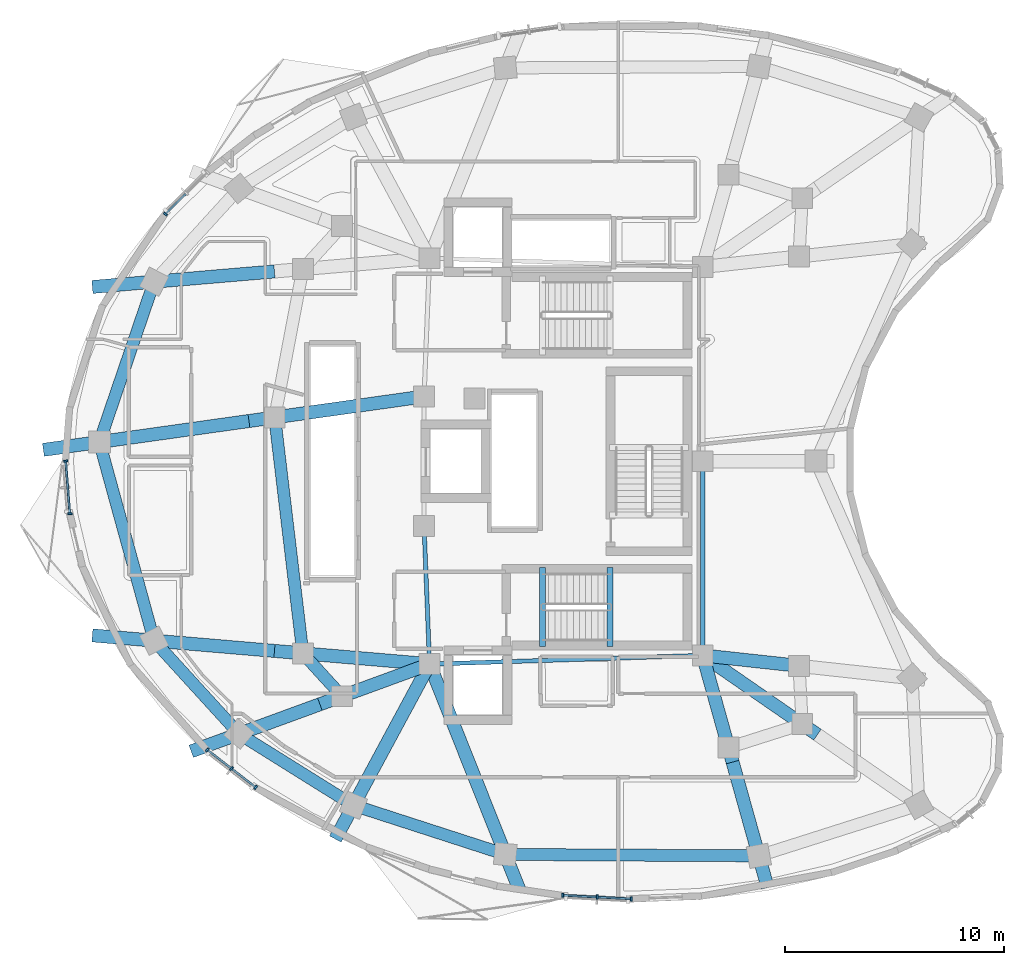
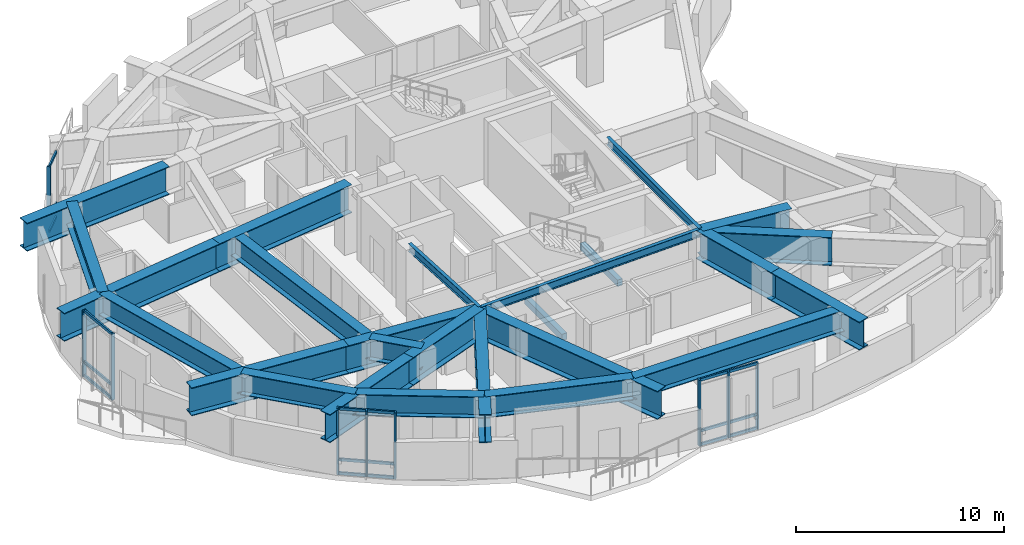
# One storey, part 2 of 13: 27 members, 26 beams, 4 elements without a shape of their own.
"""IFC4 building model written with IfcOpenShell, lengths in metres."""

import ifcopenshell
import ifcopenshell.guid

model = None  # the IFC model being written
_history = None  # IfcOwnerHistory: only IFC2X3 demands one
_inside = {}  # id of a spatial element -> (the spatial element, [elements in it])
_under = {}  # id of a project, library or spatial element -> (it, [spatial elements below it])
_declared = {}  # id of a project -> (the project, [libraries it declares])
_typed = {}  # id of a type object -> (the type object, [elements of that type])
_made_of = {}  # id of a material, layer set ... -> (it, [elements and type objects made of it])


def new_model(schema):
    """Start an empty IFC model of exactly this schema.

    Asked for "IFC4X3", IfcOpenShell would pick the latest addendum, in which some entities
    have other attributes; the version numbers below select the first issue.
    IFC2X3 requires an IfcOwnerHistory on every rooted entity: one is made here for all.
    """
    global model, _history
    if schema == "IFC4X3":
        model = ifcopenshell.file(schema_version=(4, 3, 0, 0))
    else:
        model = ifcopenshell.file(schema=schema)
    _inside.clear()
    _under.clear()
    _declared.clear()
    _typed.clear()
    _made_of.clear()
    _history = None
    if model.schema == "IFC2X3":
        org = make("IfcOrganization", Name="unknown")
        user = make(
            "IfcPersonAndOrganization",
            ThePerson=make("IfcPerson", FamilyName="unknown"),
            TheOrganization=org,
        )
        app = make(
            "IfcApplication",
            ApplicationDeveloper=org,
            Version="unknown",
            ApplicationFullName="unknown",
            ApplicationIdentifier="unknown",
        )
        _history = make(
            "IfcOwnerHistory",
            OwningUser=user,
            OwningApplication=app,
            ChangeAction="ADDED",
            CreationDate=0,
        )
    return model


def make(cls, **values):
    """One entity of the class cls with the attributes given. An attribute that is None is left unset."""
    return model.create_entity(
        cls, **{name: value for name, value in values.items() if value is not None}
    )


def rooted(cls, **values):
    """An entity with a GlobalId (a new one), such as an element, a storey or a relation."""
    return make(cls, GlobalId=ifcopenshell.guid.new(), OwnerHistory=_history, **values)


def si_unit(unit_type, name, prefix=None):
    """IfcSIUnit, for example si_unit("LENGTHUNIT", "METRE", prefix="MILLI")."""
    return make("IfcSIUnit", UnitType=unit_type, Prefix=prefix, Name=name)


def assignment(units):
    """IfcUnitAssignment: the units of a project."""
    return None if units is None else make("IfcUnitAssignment", Units=units)


def point(xyz):
    """IfcCartesianPoint."""
    return None if xyz is None else make("IfcCartesianPoint", Coordinates=xyz)


def direction(xyz):
    """IfcDirection."""
    return None if xyz is None else make("IfcDirection", DirectionRatios=xyz)


def frame(location, z_axis=None, x_axis=None):
    """IfcAxis2Placement3D, a coordinate frame: its origin and axes. An axis left out is left unset."""
    return make(
        "IfcAxis2Placement3D",
        Location=point(location),
        Axis=direction(z_axis),
        RefDirection=direction(x_axis),
    )


def frame_2d(location, x_axis=None):
    """IfcAxis2Placement2D, a coordinate frame in the plane: its origin and x axis."""
    return make(
        "IfcAxis2Placement2D", Location=point(location), RefDirection=direction(x_axis)
    )


def origin():
    """The frame at (0, 0, 0) with its axes left unset."""
    return frame((0.0, 0.0, 0.0))


def origin_2d():
    """The frame at (0, 0) in the plane with its x axis left unset."""
    return frame_2d((0.0, 0.0))


def place(relative_to, where):
    """IfcLocalPlacement: puts the frame where relative to a parent placement (None: the world)."""
    return make(
        "IfcLocalPlacement", PlacementRelTo=relative_to, RelativePlacement=where
    )


def context(
    kind, dimensions, precision=None, world=None, true_north=None, identifier=None
):
    """IfcGeometricRepresentationContext, for example the 3D "Model" context."""
    return make(
        "IfcGeometricRepresentationContext",
        ContextIdentifier=identifier,
        ContextType=kind,
        CoordinateSpaceDimension=dimensions,
        Precision=precision,
        WorldCoordinateSystem=world,
        TrueNorth=true_north,
    )


def subcontext(parent, identifier, kind, view, scale=None):
    """IfcGeometricRepresentationSubContext, for example "Body" below "Model"."""
    return make(
        "IfcGeometricRepresentationSubContext",
        ContextIdentifier=identifier,
        ContextType=kind,
        ParentContext=parent,
        TargetScale=scale,
        TargetView=view,
    )


def project(units=None, contexts=None):
    """IfcProject with its units and contexts."""
    return rooted(
        "IfcProject",
        Name="project",
        RepresentationContexts=contexts,
        UnitsInContext=assignment(units),
    )


def spatial(cls, under=None, at=None, **own):
    """A site, building, storey or space (cls), placed at a placement, below another one or the project."""
    s = rooted(cls, ObjectPlacement=at, **own)
    if under is not None:
        _under.setdefault(under.id(), (under, []))[1].append(s)
    return s


def profile(cls, at=None, kind="AREA", **sizes):
    """A parametric profile (cls). Its sizes go by their IFC names, for example OverallWidth=200.0."""
    return make(cls, ProfileType=kind, Position=at, **sizes)


def rectangle(**sizes):
    """IfcRectangleProfileDef."""
    return profile("IfcRectangleProfileDef", **sizes)


def i_section(**sizes):
    """IfcIShapeProfileDef."""
    return profile("IfcIShapeProfileDef", **sizes)


def extrude(swept, where, along, depth):
    """IfcExtrudedAreaSolid: the profile swept, set in the frame where, extruded along a direction by depth."""
    return make(
        "IfcExtrudedAreaSolid",
        SweptArea=swept,
        Position=where,
        ExtrudedDirection=direction(along),
        Depth=depth,
    )


def shape(context_of_items, identifier, shape_type, items):
    """IfcShapeRepresentation: the items that make up one representation, for example the "Body"."""
    return make(
        "IfcShapeRepresentation",
        ContextOfItems=context_of_items,
        RepresentationIdentifier=identifier,
        RepresentationType=shape_type,
        Items=items,
    )


def material(Name=None, Category=None):
    """IfcMaterial."""
    return make("IfcMaterial", Name=Name, Category=Category)


def layer(
    of_material, thickness, ventilated=None, Name=None, Category=None, Priority=None
):
    """IfcMaterialLayer: one layer of a wall or slab, of a material (None: an air gap)."""
    return make(
        "IfcMaterialLayer",
        Material=of_material,
        LayerThickness=thickness,
        IsVentilated=ventilated,
        Name=Name,
        Category=Category,
        Priority=Priority,
    )


def layer_set(layers, Name=None):
    """IfcMaterialLayerSet."""
    return make("IfcMaterialLayerSet", MaterialLayers=layers, LayerSetName=Name)


def material_profile(
    of_material, cross_section, Name=None, Category=None, Priority=None
):
    """IfcMaterialProfile: a cross section and its material."""
    return make(
        "IfcMaterialProfile",
        Name=Name,
        Material=of_material,
        Profile=cross_section,
        Priority=Priority,
        Category=Category,
    )


def profile_set(profiles, Name=None, composite=None):
    """IfcMaterialProfileSet."""
    return make(
        "IfcMaterialProfileSet",
        Name=Name,
        MaterialProfiles=profiles,
        CompositeProfile=composite,
    )


def made_of(thing, what):
    """Note that an element or type object is made of a material, layer set ...; save() writes the relation."""
    if what is not None:
        _made_of.setdefault(what.id(), (what, []))[1].append(thing)
    return thing


def type_object(cls, material=None, **own):
    """A type object (cls), such as IfcWallType, which elements share."""
    return made_of(rooted(cls, **own), material)


def element(
    cls,
    number,
    at=None,
    inside=None,
    cuts=None,
    type_object=None,
    material=None,
    context=None,
    identifier="Body",
    shape_type=None,
    held_by="IfcProductDefinitionShape",
    body=None,
    shapes=None,
    **own,
):
    """One element of the class cls, such as IfcWall. Its Tag is "e" and its number.

    at: its placement. inside: the storey or other place that contains it. cuts: it is an
    opening in that element (IfcRelVoidsElement). A single representation is given by context,
    identifier, shape_type and body (its items); several are given by shapes. held_by: the class
    of the entity that holds the representations. save() writes the other relations.
    """
    e = rooted(cls, Tag="e%d" % number, ObjectPlacement=at, **own)
    if body is not None:
        shapes = [shape(context, identifier, shape_type, body)]
    if shapes is not None:
        e.Representation = make(held_by, Representations=shapes)
    if inside is not None:
        _inside.setdefault(inside.id(), (inside, []))[1].append(e)
    if cuts is not None:
        rooted(
            "IfcRelVoidsElement", RelatingBuildingElement=cuts, RelatedOpeningElement=e
        )
    if type_object is not None:
        _typed.setdefault(type_object.id(), (type_object, []))[1].append(e)
    return made_of(e, material)


def aggregate(whole, parts):
    """IfcRelAggregates: a whole, such as a stair, and the parts it consists of."""
    return rooted("IfcRelAggregates", RelatingObject=whole, RelatedObjects=parts)


def save(model, path):
    """Write the relations noted so far, then the file.

    IfcRelAggregates (storeys below a building ...), IfcRelContainedInSpatialStructure (elements
    in a storey), IfcRelDefinesByType, IfcRelAssociatesMaterial and IfcRelDeclares: one each for
    every whole, place, type object, material and project.
    """
    for whole, parts in _under.values():
        aggregate(whole, parts)
    for where, things in _inside.values():
        rooted(
            "IfcRelContainedInSpatialStructure",
            RelatedElements=things,
            RelatingStructure=where,
        )
    for kind, things in _typed.values():
        rooted("IfcRelDefinesByType", RelatedObjects=things, RelatingType=kind)
    for what, things in _made_of.values():
        rooted("IfcRelAssociatesMaterial", RelatedObjects=things, RelatingMaterial=what)
    for by, libraries in _declared.values():
        rooted("IfcRelDeclares", RelatingContext=by, RelatedDefinitions=libraries)
    model.write(path)


model = new_model("IFC4")

# Units and contexts
model_context = context("Model", 3, precision=1e-05, world=origin(), true_north=direction((0.0, 1.0)))
body_context = subcontext(model_context, "Body", "Model", "MODEL_VIEW")
ifc_project = project(units=[si_unit("LENGTHUNIT", "METRE"), si_unit("AREAUNIT", "SQUARE_METRE"), si_unit("VOLUMEUNIT", "CUBIC_METRE"), si_unit("PLANEANGLEUNIT", "RADIAN"), si_unit("MASSUNIT", "GRAM", prefix="KILO")], contexts=[model_context])

# Site, building, storey
site_placement = place(None, origin())
site = spatial("IfcSite", under=ifc_project, at=site_placement, CompositionType="ELEMENT")
building_placement = place(site_placement, origin())
building = spatial("IfcBuilding", under=site, at=building_placement, Name="Korentha Bioscience Tower", CompositionType="ELEMENT")
storey_placement = place(building_placement, frame((0.0, 0.0, 208.800048828125)))
storey = spatial("IfcBuildingStorey", under=building, at=storey_placement, Name="L48", CompositionType="ELEMENT", Elevation=208.800048828125)

# Beams
ifc_material_1 = material(Name="Concrete C50", Category="concrete")
ifc_material_profile_1 = material_profile(ifc_material_1, rectangle(XDim=0.280029296875, YDim=0.3798828125, at=origin_2d()), Name="Concrete C50")
ifc_profile_set_1 = profile_set([ifc_material_profile_1], Name="Concrete C50 (ST-HB380)")
beam_type_1 = type_object("IfcBeamType", Name="Concrete Stair Header Beam RC 280x380", PredefinedType="BEAM", material=ifc_profile_set_1)
for number, where, z_axis, x_axis, name in (
    (1, (30.25, 18.550048828125, -0.18994140625), (0.0, 1.0, 0.0), (-1.0, 0.0, 0.0), "L48 ST-2 Concrete Stair Header Beam"),
    (2, (33.330078125, 18.550048828125, 1.909912109375), (0.0, 1.0, 0.0), (-1.0, 0.0, 0.0), "L48 ST-2 Half-Landing Header Beam 1"),
):
    element("IfcBeam", number, at=place(storey_placement, frame(where, z_axis=z_axis, x_axis=x_axis)), inside=storey, type_object=beam_type_1, Name=name, PredefinedType="BEAM", context=body_context, shape_type="SweptSolid", body=[
        extrude(rectangle(XDim=0.280029296875, YDim=0.3798828125, at=origin_2d()), origin(), (0.0, 0.0, 1.0), 3.599853515625),
    ])
ifc_material_2 = material(Name="Steel S355", Category="steel")
ifc_material_profile_2 = material_profile(ifc_material_2, i_section(OverallWidth=0.550048828125, OverallDepth=1.25, WebThickness=0.02392578125, FlangeThickness=0.0400390625, at=origin_2d()), Name="Steel S355")
ifc_profile_set_2 = profile_set([ifc_material_profile_2], Name="Steel S355 (TG-03)")
beam_type_2 = type_object("IfcBeamType", Name="Crown Step Transfer Girder CVS 1250x510", PredefinedType="USERDEFINED", material=ifc_profile_set_2)
beam_1_placement = place(storey_placement, frame((18.04296875, 28.9951171875, 3.2548828125), z_axis=(0.118363737679, -0.992970304492, 0.0), x_axis=(0.992970304492, 0.118363737679, 0.0)))
element("IfcBeam", 3, at=beam_1_placement, inside=storey, type_object=beam_type_2, Name="L48 Mid-Ring Tie Girder 07", ObjectType="TRANSFER_GIRDER", PredefinedType="USERDEFINED", context=body_context, shape_type="SweptSolid", body=[
    extrude(i_section(OverallWidth=0.550048828125, OverallDepth=1.25, WebThickness=0.02392578125, FlangeThickness=0.0400390625, at=origin_2d()), origin(), (0.0, 0.0, 1.0), 10.828857421875),
])
beam_2_placement = place(storey_placement, frame((19.32470703125, 18.242431640625, 3.2548828125), z_axis=(0.673513544519, -0.739174881438, 0.0), x_axis=(0.739174881438, 0.673513544519, 0.0)))
element("IfcBeam", 4, at=beam_2_placement, inside=storey, type_object=beam_type_2, Name="L48 Mid-Ring Tie Girder 08", ObjectType="TRANSFER_GIRDER", PredefinedType="USERDEFINED", context=body_context, shape_type="SweptSolid", body=[
    extrude(i_section(OverallWidth=0.550048828125, OverallDepth=1.25, WebThickness=0.02392578125, FlangeThickness=0.0400390625, at=origin_2d()), origin(), (0.0, 0.0, 1.0), 2.6435546875),
])
beam_3_placement = place(storey_placement, frame((12.54541015625, 35.1796875, 3.2548828125), z_axis=(-0.322984950564, -0.94640410064, 0.0), x_axis=(0.94640410064, -0.322984950564, 0.0)))
element("IfcBeam", 5, at=beam_3_placement, inside=storey, type_object=beam_type_2, Name="L48 Perimeter Spandrel Girder 06", ObjectType="TRANSFER_GIRDER", PredefinedType="USERDEFINED", context=body_context, shape_type="SweptSolid", body=[
    extrude(i_section(OverallWidth=0.550048828125, OverallDepth=1.25, WebThickness=0.02392578125, FlangeThickness=0.0400390625, at=origin_2d()), origin(), (0.0, 0.0, 1.0), 7.71923828125),
])
beam_4_placement = place(storey_placement, frame((10.05224609375, 27.874267578125, 3.2548828125), z_axis=(0.265485778436, -0.964114776076, 0.0), x_axis=(0.964114776076, 0.265485778436, 0.0)))
element("IfcBeam", 6, at=beam_4_placement, inside=storey, type_object=beam_type_2, Name="L48 Perimeter Spandrel Girder 07", ObjectType="TRANSFER_GIRDER", PredefinedType="USERDEFINED", context=body_context, shape_type="SweptSolid", body=[
    extrude(i_section(OverallWidth=0.550048828125, OverallDepth=1.25, WebThickness=0.02392578125, FlangeThickness=0.0400390625, at=origin_2d()), origin(), (0.0, 0.0, 1.0), 9.390869140625),
])
beam_5_placement = place(storey_placement, frame((12.54541015625, 18.8203125, 3.2548828125), z_axis=(0.673503408544, -0.739184116902, 0.0), x_axis=(0.739184116902, 0.673503408544, 0.0)))
element("IfcBeam", 7, at=beam_5_placement, inside=storey, type_object=beam_type_2, Name="L48 Perimeter Spandrel Girder 08", ObjectType="TRANSFER_GIRDER", PredefinedType="USERDEFINED", context=body_context, shape_type="SweptSolid", body=[
    extrude(i_section(OverallWidth=0.550048828125, OverallDepth=1.25, WebThickness=0.02392578125, FlangeThickness=0.0400390625, at=origin_2d()), origin(), (0.0, 0.0, 1.0), 5.74658203125),
])
beam_6_placement = place(storey_placement, frame((16.415771484375, 14.572509765625, 3.2548828125), z_axis=(0.848274790748, -0.52955630426, 0.0), x_axis=(0.52955630426, 0.848274790748, 0.0)))
element("IfcBeam", 8, at=beam_6_placement, inside=storey, type_object=beam_type_2, Name="L48 Perimeter Spandrel Girder 09", ObjectType="TRANSFER_GIRDER", PredefinedType="USERDEFINED", context=body_context, shape_type="SweptSolid", body=[
    extrude(i_section(OverallWidth=0.550048828125, OverallDepth=1.25, WebThickness=0.02392578125, FlangeThickness=0.0400390625, at=origin_2d()), origin(), (0.0, 0.0, 1.0), 6.148681640625),
])
beam_7_placement = place(storey_placement, frame((21.631591796875, 11.31640625, 3.2548828125), z_axis=(0.951425150124, -0.307880145042, 0.0), x_axis=(0.307880145042, 0.951425150124, 0.0)))
element("IfcBeam", 9, at=beam_7_placement, inside=storey, type_object=beam_type_2, Name="L48 Perimeter Spandrel Girder 10", ObjectType="TRANSFER_GIRDER", PredefinedType="USERDEFINED", context=body_context, shape_type="SweptSolid", body=[
    extrude(i_section(OverallWidth=0.550048828125, OverallDepth=1.25, WebThickness=0.02392578125, FlangeThickness=0.0400390625, at=origin_2d()), origin(), (0.0, 0.0, 1.0), 7.275634765625),
])
beam_8_placement = place(storey_placement, frame((28.5537109375, 9.076416015625, 3.2548828125), z_axis=(0.999984906184, -0.005494306452, 0.0), x_axis=(0.005494306452, 0.999984906184, 0.0)))
element("IfcBeam", 10, at=beam_8_placement, inside=storey, type_object=beam_type_2, Name="L48 Perimeter Spandrel Girder 11", ObjectType="TRANSFER_GIRDER", PredefinedType="USERDEFINED", context=body_context, shape_type="SweptSolid", body=[
    extrude(i_section(OverallWidth=0.550048828125, OverallDepth=1.25, WebThickness=0.02392578125, FlangeThickness=0.0400390625, at=origin_2d()), origin(), (0.0, 0.0, 1.0), 11.55322265625),
])
ifc_material_profile_3 = material_profile(ifc_material_2, i_section(OverallWidth=0.60009765625, OverallDepth=1.64990234375, WebThickness=0.02587890625, FlangeThickness=0.0439453125, at=origin_2d()), Name="Steel S355")
ifc_profile_set_3 = profile_set([ifc_material_profile_3], Name="Steel S355 (TG-04)")
beam_type_3 = type_object("IfcBeamType", Name="Deep Setback Transfer Girder CVS 1650x620", PredefinedType="USERDEFINED", material=ifc_profile_set_3)
beam_9_placement = place(storey_placement, frame((18.03125, 35.6474609375, 3.054931640625), z_axis=(-0.996384608351, -0.084957120013, 0.0), x_axis=(0.084957120013, -0.996384608351, 0.0)))
element("IfcBeam", 11, at=beam_9_placement, inside=storey, type_object=beam_type_3, Name="L48 Outer Radial Transfer Girder 06", ObjectType="TRANSFER_GIRDER", PredefinedType="USERDEFINED", context=body_context, shape_type="SweptSolid", body=[
    extrude(i_section(OverallWidth=0.60009765625, OverallDepth=1.64990234375, WebThickness=0.02587890625, FlangeThickness=0.0439453125, at=origin_2d()), origin(), (0.0, 0.0, 1.0), 8.327880859375),
])
beam_10_placement = place(storey_placement, frame((24.85009765625, 29.949951171875, 3.054931640625), z_axis=(-0.990304360925, -0.138914623901, 0.0), x_axis=(0.138914623901, -0.990304360925, 0.0)))
element("IfcBeam", 12, at=beam_10_placement, inside=storey, type_object=beam_type_3, Name="L48 Inner Radial Transfer Girder 07", ObjectType="TRANSFER_GIRDER", PredefinedType="USERDEFINED", context=body_context, shape_type="SweptSolid", body=[
    extrude(i_section(OverallWidth=0.60009765625, OverallDepth=1.64990234375, WebThickness=0.02587890625, FlangeThickness=0.0439453125, at=origin_2d()), origin(), (0.0, 0.0, 1.0), 8.059814453125),
])
beam_11_placement = place(storey_placement, frame((16.868408203125, 28.830322265625, 3.054931640625), z_axis=(-0.990305501334, -0.138906493829, 0.0), x_axis=(0.138906493829, -0.990305501334, 0.0)))
element("IfcBeam", 13, at=beam_11_placement, inside=storey, type_object=beam_type_3, Name="L48 Outer Radial Transfer Girder 07", ObjectType="TRANSFER_GIRDER", PredefinedType="USERDEFINED", context=body_context, shape_type="SweptSolid", body=[
    extrude(i_section(OverallWidth=0.60009765625, OverallDepth=1.64990234375, WebThickness=0.02587890625, FlangeThickness=0.0439453125, at=origin_2d()), origin(), (0.0, 0.0, 1.0), 9.461181640625),
])
beam_12_placement = place(storey_placement, frame((25.10009765625, 17.75, 3.054931640625), z_axis=(-0.996386862802, 0.084930675464, 0.0), x_axis=(-0.084930675464, -0.996386862802, 0.0)))
element("IfcBeam", 14, at=beam_12_placement, inside=storey, type_object=beam_type_3, Name="L48 Inner Radial Transfer Girder 08", ObjectType="TRANSFER_GIRDER", PredefinedType="USERDEFINED", context=body_context, shape_type="SweptSolid", body=[
    extrude(i_section(OverallWidth=0.60009765625, OverallDepth=1.64990234375, WebThickness=0.02587890625, FlangeThickness=0.0439453125, at=origin_2d()), origin(), (0.0, 0.0, 1.0), 7.094482421875),
])
beam_13_placement = place(storey_placement, frame((18.03125, 18.3525390625, 3.054931640625), z_axis=(-0.996384608351, 0.084957120013, 0.0), x_axis=(-0.084957120013, -0.996384608351, 0.0)))
element("IfcBeam", 15, at=beam_13_placement, inside=storey, type_object=beam_type_3, Name="L48 Outer Radial Transfer Girder 08", ObjectType="TRANSFER_GIRDER", PredefinedType="USERDEFINED", context=body_context, shape_type="SweptSolid", body=[
    extrude(i_section(OverallWidth=0.60009765625, OverallDepth=1.64990234375, WebThickness=0.02587890625, FlangeThickness=0.0439453125, at=origin_2d()), origin(), (0.0, 0.0, 1.0), 8.327880859375),
])
beam_14_placement = place(storey_placement, frame((25.10009765625, 17.75, 3.054931640625), z_axis=(-0.939113825958, -0.34360620177, 0.0), x_axis=(0.34360620177, -0.939113825958, 0.0)))
element("IfcBeam", 16, at=beam_14_placement, inside=storey, type_object=beam_type_3, Name="L48 Inner Radial Transfer Girder 09", ObjectType="TRANSFER_GIRDER", PredefinedType="USERDEFINED", context=body_context, shape_type="SweptSolid", body=[
    extrude(i_section(OverallWidth=0.60009765625, OverallDepth=1.64990234375, WebThickness=0.02587890625, FlangeThickness=0.0439453125, at=origin_2d()), origin(), (0.0, 0.0, 1.0), 5.32177734375),
])
beam_15_placement = place(storey_placement, frame((20.102294921875, 15.92138671875, 3.054931640625), z_axis=(-0.939108088977, -0.343621881169, 0.0), x_axis=(0.343621881169, -0.939108088977, 0.0)))
element("IfcBeam", 17, at=beam_15_placement, inside=storey, type_object=beam_type_3, Name="L48 Outer Radial Transfer Girder 09", ObjectType="TRANSFER_GIRDER", PredefinedType="USERDEFINED", context=body_context, shape_type="SweptSolid", body=[
    extrude(i_section(OverallWidth=0.60009765625, OverallDepth=1.64990234375, WebThickness=0.02587890625, FlangeThickness=0.0439453125, at=origin_2d()), origin(), (0.0, 0.0, 1.0), 6.247314453125),
])
beam_16_placement = place(storey_placement, frame((25.10009765625, 17.75, 3.054931640625), z_axis=(-0.47455638006, -0.88022510879, 0.0), x_axis=(0.88022510879, -0.47455638006, 0.0)))
element("IfcBeam", 18, at=beam_16_placement, inside=storey, type_object=beam_type_3, Name="L48 Radial Transfer Girder 10", ObjectType="TRANSFER_GIRDER", PredefinedType="USERDEFINED", context=body_context, shape_type="SweptSolid", body=[
    extrude(i_section(OverallWidth=0.60009765625, OverallDepth=1.64990234375, WebThickness=0.02587890625, FlangeThickness=0.0439453125, at=origin_2d()), origin(), (0.0, 0.0, 1.0), 9.054931640625),
])
beam_17_placement = place(storey_placement, frame((25.10009765625, 17.75, 3.054931640625), z_axis=(0.369938982304, -0.929056052869, 0.0), x_axis=(0.929056052869, 0.369938982304, 0.0)))
element("IfcBeam", 19, at=beam_17_placement, inside=storey, type_object=beam_type_3, Name="L48 Radial Transfer Girder 11", ObjectType="TRANSFER_GIRDER", PredefinedType="USERDEFINED", context=body_context, shape_type="SweptSolid", body=[
    extrude(i_section(OverallWidth=0.60009765625, OverallDepth=1.64990234375, WebThickness=0.02587890625, FlangeThickness=0.0439453125, at=origin_2d()), origin(), (0.0, 0.0, 1.0), 11.10888671875),
])
beam_18_placement = place(storey_placement, frame((37.550048828125, 18.14990234375, 3.054931640625), z_axis=(0.269475733077, -0.963007180286, 0.0), x_axis=(0.963007180286, 0.269475733077, 0.0)))
element("IfcBeam", 20, at=beam_18_placement, inside=storey, type_object=beam_type_3, Name="L48 Inner Radial Transfer Girder 12", ObjectType="TRANSFER_GIRDER", PredefinedType="USERDEFINED", context=body_context, shape_type="SweptSolid", body=[
    extrude(i_section(OverallWidth=0.60009765625, OverallDepth=1.64990234375, WebThickness=0.02587890625, FlangeThickness=0.0439453125, at=origin_2d()), origin(), (0.0, 0.0, 1.0), 5.05078125),
])
beam_19_placement = place(storey_placement, frame((38.9111328125, 13.285888671875, 3.054931640625), z_axis=(0.269463441067, -0.963010619842, 0.0), x_axis=(0.963010619842, 0.269463441067, 0.0)))
element("IfcBeam", 21, at=beam_19_placement, inside=storey, type_object=beam_type_3, Name="L48 Outer Radial Transfer Girder 12", ObjectType="TRANSFER_GIRDER", PredefinedType="USERDEFINED", context=body_context, shape_type="SweptSolid", body=[
    extrude(i_section(OverallWidth=0.60009765625, OverallDepth=1.64990234375, WebThickness=0.02587890625, FlangeThickness=0.0439453125, at=origin_2d()), origin(), (0.0, 0.0, 1.0), 5.928955078125),
])
beam_20_placement = place(storey_placement, frame((37.550048828125, 18.14990234375, 3.054931640625), z_axis=(0.822490816724, -0.568778389537, 0.0), x_axis=(0.568778389537, 0.822490816724, 0.0)))
element("IfcBeam", 22, at=beam_20_placement, inside=storey, type_object=beam_type_3, Name="L48 Inner Radial Transfer Girder 13", ObjectType="TRANSFER_GIRDER", PredefinedType="USERDEFINED", context=body_context, shape_type="SweptSolid", body=[
    extrude(i_section(OverallWidth=0.60009765625, OverallDepth=1.64990234375, WebThickness=0.02587890625, FlangeThickness=0.0439453125, at=origin_2d()), origin(), (0.0, 0.0, 1.0), 6.354736328125),
])
beam_21_placement = place(storey_placement, frame((37.550048828125, 18.14990234375, 3.054931640625), z_axis=(0.994119231427, -0.108291060139, 0.0), x_axis=(0.108291060139, 0.994119231427, 0.0)))
element("IfcBeam", 23, at=beam_21_placement, inside=storey, type_object=beam_type_3, Name="L48 Inner Radial Transfer Girder 14", ObjectType="TRANSFER_GIRDER", PredefinedType="USERDEFINED", context=body_context, shape_type="SweptSolid", body=[
    extrude(i_section(OverallWidth=0.60009765625, OverallDepth=1.64990234375, WebThickness=0.02587890625, FlangeThickness=0.0439453125, at=origin_2d()), origin(), (0.0, 0.0, 1.0), 4.6826171875),
])
ifc_material_profile_4 = material_profile(ifc_material_2, i_section(OverallWidth=0.18994140625, OverallDepth=0.45703125, WebThickness=0.009033203125, FlangeThickness=0.014404296875, at=origin_2d()), Name="Steel S355")
ifc_profile_set_4 = profile_set([ifc_material_profile_4], Name="Steel S355 (MB-460)")
beam_type_4 = type_object("IfcBeamType", Name="Mid-Ring Tie Girder W460x74", PredefinedType="BEAM", material=ifc_profile_set_4)
beam_22_placement = place(storey_placement, frame((24.85009765625, 24.050048828125, 3.6513671875), z_axis=(0.039651025576, -0.999213588864, 0.0), x_axis=(0.999213588864, 0.039651025576, 0.0)))
element("IfcBeam", 24, at=beam_22_placement, inside=storey, type_object=beam_type_4, Name="L48 Core Ring Tie Girder 04", PredefinedType="BEAM", context=body_context, shape_type="SweptSolid", body=[
    extrude(i_section(OverallWidth=0.18994140625, OverallDepth=0.45703125, WebThickness=0.009033203125, FlangeThickness=0.014404296875, at=origin_2d()), origin(), (0.0, 0.0, 1.0), 6.304931640625),
])
beam_23_placement = place(storey_placement, frame((25.10009765625, 17.75, 3.6513671875), z_axis=(0.999484526071, 0.032104238723, 0.0), x_axis=(-0.032104238723, 0.999484526071, 0.0)))
element("IfcBeam", 25, at=beam_23_placement, inside=storey, type_object=beam_type_4, Name="L48 Core Ring Tie Girder 05", PredefinedType="BEAM", context=body_context, shape_type="SweptSolid", body=[
    extrude(i_section(OverallWidth=0.18994140625, OverallDepth=0.45703125, WebThickness=0.009033203125, FlangeThickness=0.014404296875, at=origin_2d()), origin(), (0.0, 0.0, 1.0), 12.456298828125),
])
beam_24_placement = place(storey_placement, frame((37.550048828125, 18.14990234375, 3.6513671875), z_axis=(0.0, 1.0, 0.0), x_axis=(-1.0, 0.0, 0.0)))
element("IfcBeam", 26, at=beam_24_placement, inside=storey, type_object=beam_type_4, Name="L48 Core Ring Tie Girder 06", PredefinedType="BEAM", context=body_context, shape_type="SweptSolid", body=[
    extrude(i_section(OverallWidth=0.18994140625, OverallDepth=0.45703125, WebThickness=0.009033203125, FlangeThickness=0.014404296875, at=origin_2d()), origin(), (0.0, 0.0, 1.0), 8.85009765625),
])

# Curtain wall, member
ifc_material_3 = material(Name="Thermally Broken Aluminium Frame", Category="aluminium")
ifc_layer = layer(ifc_material_3, 0.219970703125, Name="Thermally Broken Aluminium Frame")
ifc_layer_set = layer_set([ifc_layer], Name="Thermally Broken Aluminium Frame (CW-T2)")
curtain_wall_type = type_object("IfcCurtainWallType", Name="Solar-Screened Lab Unitised Curtain Wall CW-T2", PredefinedType="USERDEFINED", material=ifc_layer_set)
curtain_wall_1_placement = place(storey_placement, origin())
curtain_wall_1 = element("IfcCurtainWall", 27, at=curtain_wall_1_placement, inside=storey, type_object=curtain_wall_type, Name="L48 Curtain Wall 13", ObjectType="UNITISED", PredefinedType="USERDEFINED")
ifc_material_4 = material(Name="Anodised Aluminium 6063-T6", Category="aluminium")
ifc_material_profile_5 = material_profile(ifc_material_4, rectangle(XDim=0.090087890625, YDim=0.199951171875, at=origin_2d()), Name="Anodised Aluminium 6063-T6")
ifc_profile_set_5 = profile_set([ifc_material_profile_5], Name="Anodised Aluminium 6063-T6 (CW-MUL)")
member_type_1 = type_object("IfcMemberType", Name="Mullion RECT 90x200", PredefinedType="MULLION", material=ifc_profile_set_5)
member_1_placement = place(storey_placement, frame((13.057861328125, 38.262451171875, 0.0), z_axis=(0.0, 0.0, 1.0), x_axis=(-0.711177694756, -0.703012294688, 0.0)))
member_1 = element("IfcMember", 28, at=member_1_placement, type_object=member_type_1, Name="CW-L48-13 Mullion 3", PredefinedType="MULLION", context=body_context, shape_type="SweptSolid", body=[
    extrude(rectangle(XDim=0.090087890625, YDim=0.199951171875, at=origin_2d()), origin(), (0.0, 0.0, 1.0), 3.8798828125),
])

# Curtain wall, members
curtain_wall_2_placement = place(storey_placement, origin())
curtain_wall_2 = element("IfcCurtainWall", 29, at=curtain_wall_2_placement, inside=storey, type_object=curtain_wall_type, Name="L48 Curtain Wall 19", ObjectType="UNITISED", PredefinedType="USERDEFINED")
member_2_placement = place(storey_placement, frame((8.518798828125, 27.007568359375, 0.0), z_axis=(0.0, 0.0, 1.0), x_axis=(0.077987717013, -0.996954319914, 0.0)))
member_2 = element("IfcMember", 30, at=member_2_placement, type_object=member_type_1, Name="CW-L48-19 Mullion 1", PredefinedType="MULLION", context=body_context, shape_type="SweptSolid", body=[
    extrude(rectangle(XDim=0.090087890625, YDim=0.199951171875, at=origin_2d()), origin(), (0.0, 0.0, 1.0), 3.8798828125),
])
member_3_placement = place(storey_placement, frame((8.70654296875, 24.605712890625, 0.0), z_axis=(0.0, 0.0, 1.0), x_axis=(0.077987717013, -0.996954319914, 0.0)))
member_3 = element("IfcMember", 31, at=member_3_placement, type_object=member_type_1, Name="CW-L48-19 Mullion 2", PredefinedType="MULLION", context=body_context, shape_type="SweptSolid", body=[
    extrude(rectangle(XDim=0.090087890625, YDim=0.199951171875, at=origin_2d()), origin(), (0.0, 0.0, 1.0), 3.8798828125),
])

curtain_wall_3_placement = place(storey_placement, origin())
curtain_wall_3 = element("IfcCurtainWall", 32, at=curtain_wall_3_placement, inside=storey, type_object=curtain_wall_type, Name="L48 Curtain Wall 25", ObjectType="UNITISED", PredefinedType="USERDEFINED")
member_4_placement = place(storey_placement, frame((14.97265625, 13.84375, 0.0), z_axis=(0.0, 0.0, 1.0), x_axis=(0.790346099854, -0.612660625833, 0.0)))
member_4 = element("IfcMember", 33, at=member_4_placement, type_object=member_type_1, Name="CW-L48-25 Mullion 1", PredefinedType="MULLION", context=body_context, shape_type="SweptSolid", body=[
    extrude(rectangle(XDim=0.090087890625, YDim=0.199951171875, at=origin_2d()), origin(), (0.0, 0.0, 1.0), 3.8798828125),
])
member_5_placement = place(storey_placement, frame((16.074951171875, 12.989501953125, 0.0), z_axis=(0.0, 0.0, 1.0), x_axis=(0.790346099854, -0.612660625833, 0.0)))
member_5 = element("IfcMember", 34, at=member_5_placement, type_object=member_type_1, Name="CW-L48-25 Mullion 2", PredefinedType="MULLION", context=body_context, shape_type="SweptSolid", body=[
    extrude(rectangle(XDim=0.090087890625, YDim=0.199951171875, at=origin_2d()), origin(), (0.0, 0.0, 1.0), 3.8798828125),
])
member_6_placement = place(storey_placement, frame((17.177001953125, 12.135009765625, 0.0), z_axis=(0.0, 0.0, 1.0), x_axis=(0.790346099854, -0.612660625833, 0.0)))
member_6 = element("IfcMember", 35, at=member_6_placement, type_object=member_type_1, Name="CW-L48-25 Mullion 3", PredefinedType="MULLION", context=body_context, shape_type="SweptSolid", body=[
    extrude(rectangle(XDim=0.090087890625, YDim=0.199951171875, at=origin_2d()), origin(), (0.0, 0.0, 1.0), 3.8798828125),
])

curtain_wall_4_placement = place(storey_placement, origin())
curtain_wall_4 = element("IfcCurtainWall", 36, at=curtain_wall_4_placement, inside=storey, type_object=curtain_wall_type, Name="L48 Curtain Wall 31", ObjectType="UNITISED", PredefinedType="USERDEFINED")
member_7_placement = place(storey_placement, frame((31.17529296875, 7.216796875, 0.0), z_axis=(0.0, 0.0, 1.0), x_axis=(0.998634603964, -0.052239140168, 0.0)))
member_7 = element("IfcMember", 37, at=member_7_placement, type_object=member_type_1, Name="CW-L48-31 Mullion 1", PredefinedType="MULLION", context=body_context, shape_type="SweptSolid", body=[
    extrude(rectangle(XDim=0.090087890625, YDim=0.199951171875, at=origin_2d()), origin(), (0.0, 0.0, 1.0), 3.8798828125),
])
member_8_placement = place(storey_placement, frame((32.737060546875, 7.135009765625, 0.0), z_axis=(0.0, 0.0, 1.0), x_axis=(0.998634603964, -0.052239140168, 0.0)))
member_8 = element("IfcMember", 38, at=member_8_placement, type_object=member_type_1, Name="CW-L48-31 Mullion 2", PredefinedType="MULLION", context=body_context, shape_type="SweptSolid", body=[
    extrude(rectangle(XDim=0.090087890625, YDim=0.199951171875, at=origin_2d()), origin(), (0.0, 0.0, 1.0), 3.8798828125),
])
member_9_placement = place(storey_placement, frame((34.299072265625, 7.053466796875, 0.0), z_axis=(0.0, 0.0, 1.0), x_axis=(0.998634603964, -0.052239140168, 0.0)))
member_9 = element("IfcMember", 39, at=member_9_placement, type_object=member_type_1, Name="CW-L48-31 Mullion 3", PredefinedType="MULLION", context=body_context, shape_type="SweptSolid", body=[
    extrude(rectangle(XDim=0.090087890625, YDim=0.199951171875, at=origin_2d()), origin(), (0.0, 0.0, 1.0), 3.8798828125),
])

# Member
ifc_material_profile_6 = material_profile(ifc_material_4, rectangle(XDim=0.090087890625, YDim=0.159912109375, at=origin_2d()), Name="Anodised Aluminium 6063-T6")
ifc_profile_set_6 = profile_set([ifc_material_profile_6], Name="Anodised Aluminium 6063-T6 (CW-TRN)")
member_type_2 = type_object("IfcMemberType", Name="Transom RECT 90x160", PredefinedType="USERDEFINED", material=ifc_profile_set_6)
member_10_placement = place(storey_placement, frame((13.98681640625, 39.180908203125, 0.044921875), z_axis=(-0.711159974777, -0.70303022003, 0.0), x_axis=(0.70303022003, -0.711159974777, 0.0)))
member_10 = element("IfcMember", 40, at=member_10_placement, type_object=member_type_2, Name="CW-L48-13 Bay 2 Transom 1", ObjectType="TRANSOM", PredefinedType="USERDEFINED", context=body_context, shape_type="SweptSolid", body=[
    extrude(rectangle(XDim=0.090087890625, YDim=0.159912109375, at=origin_2d()), origin(), (0.0, 0.0, 1.0), 1.26123046875),
])

member_11_placement = place(storey_placement, frame((13.98681640625, 39.180908203125, 0.849853515625), z_axis=(-0.711159974777, -0.70303022003, 0.0), x_axis=(0.70303022003, -0.711159974777, 0.0)))
member_11 = element("IfcMember", 41, at=member_11_placement, type_object=member_type_2, Name="CW-L48-13 Bay 2 Transom 2", ObjectType="TRANSOM", PredefinedType="USERDEFINED", context=body_context, shape_type="SweptSolid", body=[
    extrude(rectangle(XDim=0.090087890625, YDim=0.159912109375, at=origin_2d()), origin(), (0.0, 0.0, 1.0), 1.26123046875),
])

member_12_placement = place(storey_placement, frame((13.98681640625, 39.180908203125, 3.8349609375), z_axis=(-0.711159974777, -0.70303022003, 0.0), x_axis=(0.70303022003, -0.711159974777, 0.0)))
member_12 = element("IfcMember", 42, at=member_12_placement, type_object=member_type_2, Name="CW-L48-13 Bay 2 Transom 3", ObjectType="TRANSOM", PredefinedType="USERDEFINED", context=body_context, shape_type="SweptSolid", body=[
    extrude(rectangle(XDim=0.090087890625, YDim=0.159912109375, at=origin_2d()), origin(), (0.0, 0.0, 1.0), 1.26123046875),
])

aggregate(curtain_wall_1, [member_1, member_10, member_11, member_12])

member_13_placement = place(storey_placement, frame((8.522216796875, 26.962646484375, 0.044921875), z_axis=(0.078008652309, -0.996952682009, 0.0), x_axis=(0.996952682009, 0.078008652309, 0.0)))
member_13 = element("IfcMember", 43, at=member_13_placement, type_object=member_type_2, Name="CW-L48-19 Bay 1 Transom 1", ObjectType="TRANSOM", PredefinedType="USERDEFINED", context=body_context, shape_type="SweptSolid", body=[
    extrude(rectangle(XDim=0.090087890625, YDim=0.159912109375, at=origin_2d()), origin(), (0.0, 0.0, 1.0), 2.319091796875),
])

member_14_placement = place(storey_placement, frame((8.522216796875, 26.962646484375, 0.849853515625), z_axis=(0.078008652309, -0.996952682009, 0.0), x_axis=(0.996952682009, 0.078008652309, 0.0)))
member_14 = element("IfcMember", 44, at=member_14_placement, type_object=member_type_2, Name="CW-L48-19 Bay 1 Transom 2", ObjectType="TRANSOM", PredefinedType="USERDEFINED", context=body_context, shape_type="SweptSolid", body=[
    extrude(rectangle(XDim=0.090087890625, YDim=0.159912109375, at=origin_2d()), origin(), (0.0, 0.0, 1.0), 2.319091796875),
])

member_15_placement = place(storey_placement, frame((8.522216796875, 26.962646484375, 3.8349609375), z_axis=(0.078008652309, -0.996952682009, 0.0), x_axis=(0.996952682009, 0.078008652309, 0.0)))
member_15 = element("IfcMember", 45, at=member_15_placement, type_object=member_type_2, Name="CW-L48-19 Bay 1 Transom 3", ObjectType="TRANSOM", PredefinedType="USERDEFINED", context=body_context, shape_type="SweptSolid", body=[
    extrude(rectangle(XDim=0.090087890625, YDim=0.159912109375, at=origin_2d()), origin(), (0.0, 0.0, 1.0), 2.319091796875),
])

aggregate(curtain_wall_2, [member_2, member_3, member_13, member_14, member_15])

member_16_placement = place(storey_placement, frame((15.00830078125, 13.81640625, 0.044921875), z_axis=(0.790308570646, -0.6127090363, 0.0), x_axis=(0.6127090363, 0.790308570646, 0.0)))
member_16 = element("IfcMember", 46, at=member_16_placement, type_object=member_type_2, Name="CW-L48-25 Bay 1 Transom 1", ObjectType="TRANSOM", PredefinedType="USERDEFINED", context=body_context, shape_type="SweptSolid", body=[
    extrude(rectangle(XDim=0.090087890625, YDim=0.159912109375, at=origin_2d()), origin(), (0.0, 0.0, 1.0), 1.304443359375),
])

member_17_placement = place(storey_placement, frame((15.00830078125, 13.81640625, 0.849853515625), z_axis=(0.790308570646, -0.6127090363, 0.0), x_axis=(0.6127090363, 0.790308570646, 0.0)))
member_17 = element("IfcMember", 47, at=member_17_placement, type_object=member_type_2, Name="CW-L48-25 Bay 1 Transom 2", ObjectType="TRANSOM", PredefinedType="USERDEFINED", context=body_context, shape_type="SweptSolid", body=[
    extrude(rectangle(XDim=0.090087890625, YDim=0.159912109375, at=origin_2d()), origin(), (0.0, 0.0, 1.0), 1.304443359375),
])

member_18_placement = place(storey_placement, frame((15.00830078125, 13.81640625, 3.8349609375), z_axis=(0.790308570646, -0.6127090363, 0.0), x_axis=(0.6127090363, 0.790308570646, 0.0)))
member_18 = element("IfcMember", 48, at=member_18_placement, type_object=member_type_2, Name="CW-L48-25 Bay 1 Transom 3", ObjectType="TRANSOM", PredefinedType="USERDEFINED", context=body_context, shape_type="SweptSolid", body=[
    extrude(rectangle(XDim=0.090087890625, YDim=0.159912109375, at=origin_2d()), origin(), (0.0, 0.0, 1.0), 1.304443359375),
])

member_19_placement = place(storey_placement, frame((16.110595703125, 12.9619140625, 0.044921875), z_axis=(0.790308570646, -0.6127090363, 0.0), x_axis=(0.6127090363, 0.790308570646, 0.0)))
member_19 = element("IfcMember", 49, at=member_19_placement, type_object=member_type_2, Name="CW-L48-25 Bay 2 Transom 1", ObjectType="TRANSOM", PredefinedType="USERDEFINED", context=body_context, shape_type="SweptSolid", body=[
    extrude(rectangle(XDim=0.090087890625, YDim=0.159912109375, at=origin_2d()), origin(), (0.0, 0.0, 1.0), 1.304443359375),
])

member_20_placement = place(storey_placement, frame((16.110595703125, 12.9619140625, 0.849853515625), z_axis=(0.790308570646, -0.6127090363, 0.0), x_axis=(0.6127090363, 0.790308570646, 0.0)))
member_20 = element("IfcMember", 50, at=member_20_placement, type_object=member_type_2, Name="CW-L48-25 Bay 2 Transom 2", ObjectType="TRANSOM", PredefinedType="USERDEFINED", context=body_context, shape_type="SweptSolid", body=[
    extrude(rectangle(XDim=0.090087890625, YDim=0.159912109375, at=origin_2d()), origin(), (0.0, 0.0, 1.0), 1.304443359375),
])

member_21_placement = place(storey_placement, frame((16.110595703125, 12.9619140625, 3.8349609375), z_axis=(0.790308570646, -0.6127090363, 0.0), x_axis=(0.6127090363, 0.790308570646, 0.0)))
member_21 = element("IfcMember", 51, at=member_21_placement, type_object=member_type_2, Name="CW-L48-25 Bay 2 Transom 3", ObjectType="TRANSOM", PredefinedType="USERDEFINED", context=body_context, shape_type="SweptSolid", body=[
    extrude(rectangle(XDim=0.090087890625, YDim=0.159912109375, at=origin_2d()), origin(), (0.0, 0.0, 1.0), 1.304443359375),
])

aggregate(curtain_wall_3, [member_4, member_5, member_6, member_16, member_17, member_18, member_19, member_20, member_21])

member_22_placement = place(storey_placement, frame((31.22021484375, 7.214599609375, 0.044921875), z_axis=(0.998629244744, -0.05234148969, 0.0), x_axis=(0.05234148969, 0.998629244744, 0.0)))
member_22 = element("IfcMember", 52, at=member_22_placement, type_object=member_type_2, Name="CW-L48-31 Bay 1 Transom 1", ObjectType="TRANSOM", PredefinedType="USERDEFINED", context=body_context, shape_type="SweptSolid", body=[
    extrude(rectangle(XDim=0.090087890625, YDim=0.159912109375, at=origin_2d()), origin(), (0.0, 0.0, 1.0), 1.473876953125),
])

member_23_placement = place(storey_placement, frame((31.22021484375, 7.214599609375, 0.849853515625), z_axis=(0.998629244744, -0.05234148969, 0.0), x_axis=(0.05234148969, 0.998629244744, 0.0)))
member_23 = element("IfcMember", 53, at=member_23_placement, type_object=member_type_2, Name="CW-L48-31 Bay 1 Transom 2", ObjectType="TRANSOM", PredefinedType="USERDEFINED", context=body_context, shape_type="SweptSolid", body=[
    extrude(rectangle(XDim=0.090087890625, YDim=0.159912109375, at=origin_2d()), origin(), (0.0, 0.0, 1.0), 1.473876953125),
])

member_24_placement = place(storey_placement, frame((31.22021484375, 7.214599609375, 3.8349609375), z_axis=(0.998629244744, -0.05234148969, 0.0), x_axis=(0.05234148969, 0.998629244744, 0.0)))
member_24 = element("IfcMember", 54, at=member_24_placement, type_object=member_type_2, Name="CW-L48-31 Bay 1 Transom 3", ObjectType="TRANSOM", PredefinedType="USERDEFINED", context=body_context, shape_type="SweptSolid", body=[
    extrude(rectangle(XDim=0.090087890625, YDim=0.159912109375, at=origin_2d()), origin(), (0.0, 0.0, 1.0), 1.473876953125),
])

member_25_placement = place(storey_placement, frame((32.781982421875, 7.1328125, 0.044921875), z_axis=(0.998637888993, -0.052176303704, 0.0), x_axis=(0.052176303704, 0.998637888993, 0.0)))
member_25 = element("IfcMember", 55, at=member_25_placement, type_object=member_type_2, Name="CW-L48-31 Bay 2 Transom 1", ObjectType="TRANSOM", PredefinedType="USERDEFINED", context=body_context, shape_type="SweptSolid", body=[
    extrude(rectangle(XDim=0.090087890625, YDim=0.159912109375, at=origin_2d()), origin(), (0.0, 0.0, 1.0), 1.473876953125),
])

member_26_placement = place(storey_placement, frame((32.781982421875, 7.1328125, 0.849853515625), z_axis=(0.998637888993, -0.052176303704, 0.0), x_axis=(0.052176303704, 0.998637888993, 0.0)))
member_26 = element("IfcMember", 56, at=member_26_placement, type_object=member_type_2, Name="CW-L48-31 Bay 2 Transom 2", ObjectType="TRANSOM", PredefinedType="USERDEFINED", context=body_context, shape_type="SweptSolid", body=[
    extrude(rectangle(XDim=0.090087890625, YDim=0.159912109375, at=origin_2d()), origin(), (0.0, 0.0, 1.0), 1.473876953125),
])

member_27_placement = place(storey_placement, frame((32.781982421875, 7.1328125, 3.8349609375), z_axis=(0.998637888993, -0.052176303704, 0.0), x_axis=(0.052176303704, 0.998637888993, 0.0)))
member_27 = element("IfcMember", 57, at=member_27_placement, type_object=member_type_2, Name="CW-L48-31 Bay 2 Transom 3", ObjectType="TRANSOM", PredefinedType="USERDEFINED", context=body_context, shape_type="SweptSolid", body=[
    extrude(rectangle(XDim=0.090087890625, YDim=0.159912109375, at=origin_2d()), origin(), (0.0, 0.0, 1.0), 1.473876953125),
])

aggregate(curtain_wall_4, [member_7, member_8, member_9, member_22, member_23, member_24, member_25, member_26, member_27])

save(model, "model.ifc")
